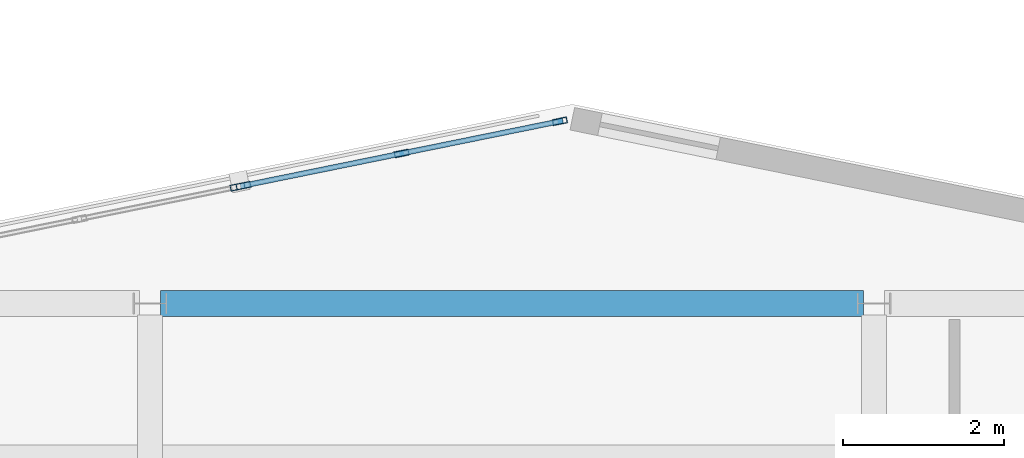
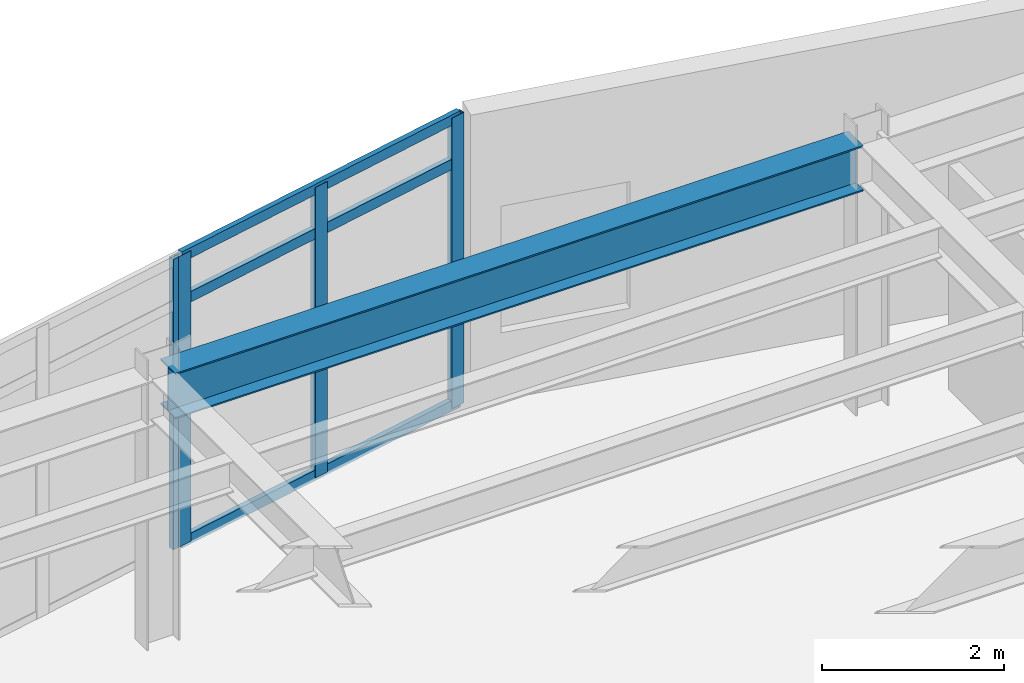
# One storey, part 22 of 59: 7 members, 1 beam, 2 elements without a shape of their own.
"""IFC4 building model written with IfcOpenShell, lengths in metres."""

from ifc_helpers import new_model, si_unit, direction, frame, origin, origin_2d, place, context, subcontext, project, spatial, hollow_rectangle, i_section, extrude, material, layer, layer_set, material_profile, profile_set, type_object, element, aggregate, save


model = new_model("IFC4")

# Units and contexts
model_context = context("Model", 3, precision=1e-05, world=origin(), true_north=direction((0.0, 1.0)))
body_context = subcontext(model_context, "Body", "Model", "MODEL_VIEW")
ifc_project = project(units=[si_unit("LENGTHUNIT", "METRE"), si_unit("AREAUNIT", "SQUARE_METRE"), si_unit("VOLUMEUNIT", "CUBIC_METRE"), si_unit("PLANEANGLEUNIT", "RADIAN"), si_unit("MASSUNIT", "GRAM", prefix="KILO")], contexts=[model_context])

# Site, building, storey
site_placement = place(None, origin())
site = spatial("IfcSite", under=ifc_project, at=site_placement, CompositionType="ELEMENT")
building_placement = place(site_placement, origin())
building = spatial("IfcBuilding", under=site, at=building_placement, Name="Sollismere Congress Hotel", CompositionType="ELEMENT")
storey_placement = place(building_placement, frame((0.0, 0.0, 15.60009765625)))
storey = spatial("IfcBuildingStorey", under=building, at=storey_placement, Name="L03", CompositionType="ELEMENT", Elevation=15.60009765625)

# Beam
ifc_material_1 = material(Name="Steel ASTM A992 Grade 50", Category="steel")
ifc_material_profile_1 = material_profile(ifc_material_1, i_section(OverallWidth=0.324951171875, OverallDepth=0.612060546875, WebThickness=0.0126953125, FlangeThickness=0.01904296875, at=origin_2d()), Name="W24X104")
ifc_profile_set_1 = profile_set([ifc_material_profile_1], Name="Steel ASTM A992 Grade 50")
beam_type = type_object("IfcBeamType", Name="BM-G24", PredefinedType="BEAM", material=ifc_profile_set_1)
beam_placement = place(storey_placement, frame((94.131103515625, 102.39990234375, 3.31884765625), z_axis=(1.0, 0.0, 0.0), x_axis=(0.0, 1.0, 0.0)))
element("IfcBeam", 1, at=beam_placement, inside=storey, type_object=beam_type, Name="Beam BM-L03-2402", PredefinedType="BEAM", context=body_context, shape_type="SweptSolid", body=[
    extrude(i_section(OverallWidth=0.324951171875, OverallDepth=0.612060546875, WebThickness=0.0126953125, FlangeThickness=0.01904296875, at=origin_2d()), origin(), (0.0, 0.0, 1.0), 8.73779296875),
])

# Curtain wall, member
ifc_material_2 = material(Name="Anodized Bronze Curtain Wall & Low-E Triple Glazing", Category="glass")
ifc_layer = layer(ifc_material_2, 0.199951171875, Name="Anodized Bronze Curtain Wall & Low-E Triple Glazing")
ifc_layer_set = layer_set([ifc_layer], Name="Anodized Bronze Curtain Wall & Low-E Triple Glazing")
curtain_wall_type = type_object("IfcCurtainWallType", Name="CW-GLZ36", PredefinedType="USERDEFINED", material=ifc_layer_set)
curtain_wall_1_placement = place(storey_placement, origin())
curtain_wall_1 = element("IfcCurtainWall", 2, at=curtain_wall_1_placement, inside=storey, type_object=curtain_wall_type, Name="Unitised curtain wall CW-L03-109", ObjectType="UNITISED CURTAIN WALL", PredefinedType="USERDEFINED")
ifc_material_3 = material(Name="Anodized Aluminum 6063-T6", Category="aluminium")
ifc_material_profile_2 = material_profile(ifc_material_3, hollow_rectangle(XDim=0.074951171875, YDim=0.179931640625, WallThickness=0.0048828125, at=origin_2d()), Name="ALU180X75X5")
ifc_profile_set_2 = profile_set([ifc_material_profile_2], Name="Anodized Aluminum 6063-T6")
member_type_1 = type_object("IfcMemberType", Name="ML-CW180", PredefinedType="MULLION", material=ifc_profile_set_2)
member_1_placement = place(storey_placement, frame((95.087890625, 103.851806640625, 0.0), z_axis=(0.0, 0.0, 1.0), x_axis=(-0.199367934417, 0.979924704621, 0.0)))
member_1 = element("IfcMember", 3, at=member_1_placement, type_object=member_type_1, Name="CWL-CW-L03-109-ML03", PredefinedType="MULLION", context=body_context, shape_type="SweptSolid", body=[
    extrude(hollow_rectangle(XDim=0.074951171875, YDim=0.179931640625, WallThickness=0.0048828125, at=origin_2d()), origin(), (0.0, 0.0, 1.0), 3.89990234375),
])
aggregate(curtain_wall_1, [member_1])

# Curtain wall, members
curtain_wall_2_placement = place(storey_placement, origin())
curtain_wall_2 = element("IfcCurtainWall", 4, at=curtain_wall_2_placement, inside=storey, type_object=curtain_wall_type, Name="Unitised curtain wall CW-L03-110", ObjectType="UNITISED CURTAIN WALL", PredefinedType="USERDEFINED")
member_2_placement = place(storey_placement, frame((95.162109375, 103.86669921875, 0.0), z_axis=(0.0, 0.0, 1.0), x_axis=(-0.199367934417, 0.979924704621, 0.0)))
member_2 = element("IfcMember", 5, at=member_2_placement, type_object=member_type_1, Name="CWL-CW-L03-110-ML01", PredefinedType="MULLION", context=body_context, shape_type="SweptSolid", body=[
    extrude(hollow_rectangle(XDim=0.074951171875, YDim=0.179931640625, WallThickness=0.0048828125, at=origin_2d()), origin(), (0.0, 0.0, 1.0), 3.89990234375),
])
member_3_placement = place(storey_placement, frame((97.128662109375, 104.266845703125, 0.0), z_axis=(0.0, 0.0, 1.0), x_axis=(-0.199367934417, 0.979924704621, 0.0)))
member_3 = element("IfcMember", 6, at=member_3_placement, type_object=member_type_1, Name="CWL-CW-L03-110-ML02", PredefinedType="MULLION", context=body_context, shape_type="SweptSolid", body=[
    extrude(hollow_rectangle(XDim=0.074951171875, YDim=0.179931640625, WallThickness=0.0048828125, at=origin_2d()), origin(), (0.0, 0.0, 1.0), 3.89990234375),
])
member_4_placement = place(storey_placement, frame((99.09521484375, 104.6669921875, 0.0), z_axis=(0.0, 0.0, 1.0), x_axis=(-0.199367934417, 0.979924704621, 0.0)))
member_4 = element("IfcMember", 7, at=member_4_placement, type_object=member_type_1, Name="CWL-CW-L03-110-ML03", PredefinedType="MULLION", context=body_context, shape_type="SweptSolid", body=[
    extrude(hollow_rectangle(XDim=0.074951171875, YDim=0.179931640625, WallThickness=0.0048828125, at=origin_2d()), origin(), (0.0, 0.0, 1.0), 3.89990234375),
])
ifc_material_profile_3 = material_profile(ifc_material_3, hollow_rectangle(XDim=0.06494140625, YDim=0.139892578125, WallThickness=0.00390625, at=origin_2d()), Name="ALU140X65X4")
ifc_profile_set_3 = profile_set([ifc_material_profile_3], Name="Anodized Aluminum 6063-T6")
member_type_2 = type_object("IfcMemberType", Name="TR-CW150", PredefinedType="MEMBER", material=ifc_profile_set_3)
member_5_placement = place(storey_placement, frame((95.125, 103.859375, 0.032470703125), z_axis=(0.979930139944, 0.199341217087, 0.0), x_axis=(-0.199341217087, 0.979930139944, 0.0)))
member_5 = element("IfcMember", 8, at=member_5_placement, type_object=member_type_2, Name="CWL-CW-L03-110-TR1", PredefinedType="MEMBER", context=body_context, shape_type="SweptSolid", body=[
    extrude(hollow_rectangle(XDim=0.06494140625, YDim=0.139892578125, WallThickness=0.00390625, at=origin_2d()), origin(), (0.0, 0.0, 1.0), 4.08935546875),
])
member_6_placement = place(storey_placement, frame((95.125, 103.859375, 3.27587890625), z_axis=(0.979930139944, 0.199341217087, 0.0), x_axis=(-0.199341217087, 0.979930139944, 0.0)))
member_6 = element("IfcMember", 9, at=member_6_placement, type_object=member_type_2, Name="CWL-CW-L03-110-TR2", PredefinedType="MEMBER", context=body_context, shape_type="SweptSolid", body=[
    extrude(hollow_rectangle(XDim=0.06494140625, YDim=0.139892578125, WallThickness=0.00390625, at=origin_2d()), origin(), (0.0, 0.0, 1.0), 4.08935546875),
])
member_7_placement = place(storey_placement, frame((95.125, 103.859375, 3.867431640625), z_axis=(0.979930139944, 0.199341217087, 0.0), x_axis=(-0.199341217087, 0.979930139944, 0.0)))
member_7 = element("IfcMember", 10, at=member_7_placement, type_object=member_type_2, Name="CWL-CW-L03-110-TR3", PredefinedType="MEMBER", context=body_context, shape_type="SweptSolid", body=[
    extrude(hollow_rectangle(XDim=0.06494140625, YDim=0.139892578125, WallThickness=0.00390625, at=origin_2d()), origin(), (0.0, 0.0, 1.0), 4.08935546875),
])
aggregate(curtain_wall_2, [member_2, member_3, member_4, member_5, member_6, member_7])

save(model, "model.ifc")
